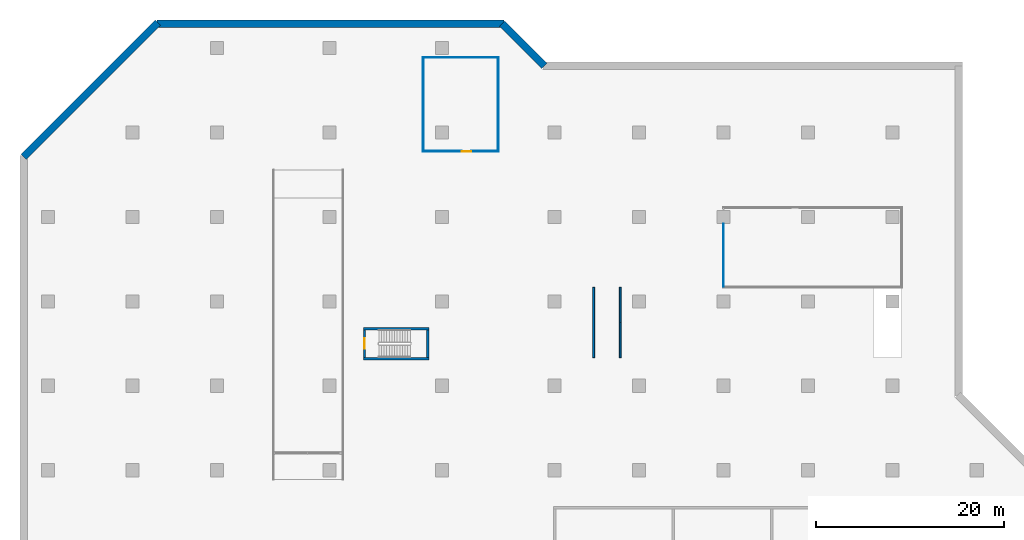
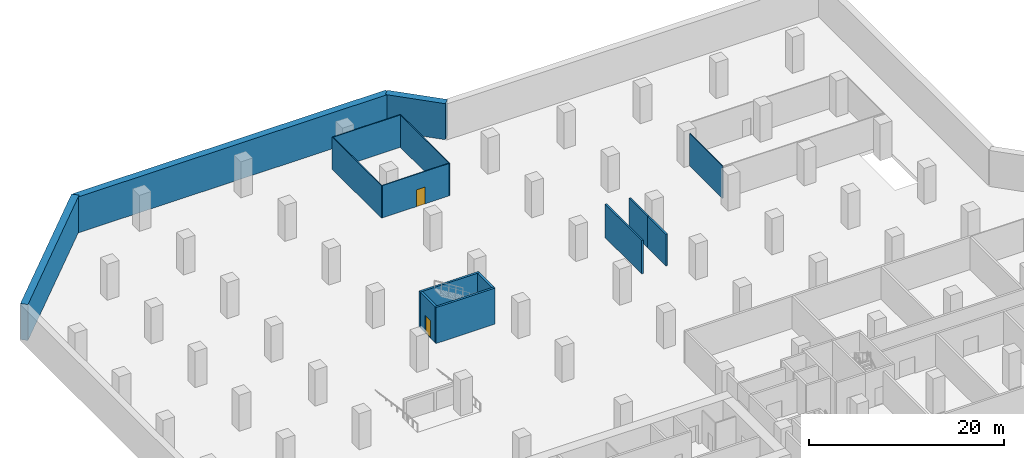
# One storey, part 6 of 10: 15 walls, 2 doors, 2 openings.
"""IFC4 building model written with IfcOpenShell, lengths in metres."""

from ifc_helpers import new_model, si_unit, direction, frame, frame_2d, origin, place, context, subcontext, project, spatial, rectangle, extrude, material, layer, layer_set, type_object, element, fill, save


model = new_model("IFC4")

# Units and contexts
model_context = context("Model", 3, precision=1e-05, world=origin(), true_north=direction((0.0, 1.0)))
body_context = subcontext(model_context, "Body", "Model", "MODEL_VIEW")
ifc_project = project(units=[si_unit("LENGTHUNIT", "METRE"), si_unit("AREAUNIT", "SQUARE_METRE"), si_unit("VOLUMEUNIT", "CUBIC_METRE"), si_unit("PLANEANGLEUNIT", "RADIAN"), si_unit("MASSUNIT", "GRAM", prefix="KILO")], contexts=[model_context])

# Site, building, storey
site_placement = place(None, origin())
site = spatial("IfcSite", under=ifc_project, at=site_placement, CompositionType="ELEMENT")
building_placement = place(site_placement, origin())
building = spatial("IfcBuilding", under=site, at=building_placement, Name="Chenar Terraces", CompositionType="ELEMENT")
storey_placement = place(building_placement, frame((0.0, 0.0, -9.0)))
storey = spatial("IfcBuildingStorey", under=building, at=storey_placement, Name="B2", CompositionType="ELEMENT", Elevation=-9.0)

# Walls
ifc_material_1 = material(Name="Concrete C70/85", Category="concrete")
ifc_layer_1 = layer(ifc_material_1, 0.25)
ifc_layer_set_1 = layer_set([ifc_layer_1], Name="Concrete C70/85")
wall_type_1 = type_object("IfcWallType", Name="Core wall 250 Concrete C70/85", PredefinedType="SHEAR", material=ifc_layer_set_1)
for number, where, z_axis, x_axis, name in (
    (1, (15.60009765625, 47.89990234375, 0.0), (0.0, 0.0, 1.0), (1.0, 0.0, 0.0), "Core wall ST4_S B2"),
    (2, (15.60009765625, 51.10009765625, 0.0), (0.0, 0.0, 1.0), (1.0, 0.0, 0.0), "Core wall ST4_N B2"),
):
    element("IfcWall", number, at=place(storey_placement, frame(where, z_axis=z_axis, x_axis=x_axis)), inside=storey, type_object=wall_type_1, Name=name, PredefinedType="SHEAR", context=body_context, shape_type="SweptSolid", body=[
        extrude(rectangle(XDim=7.0, YDim=0.25, at=frame_2d((3.5, 0.0))), origin(), (0.0, 0.0, 1.0), 4.5),
    ])

# Wall, opening, door
wall_1_placement = place(storey_placement, frame((15.72509765625, 48.02490234375, 0.0), z_axis=(0.0, 0.0, 1.0), x_axis=(0.0, 1.0, 0.0)))
wall_1 = element("IfcWall", 3, at=wall_1_placement, inside=storey, type_object=wall_type_1, Name="Core wall ST4_W B2", PredefinedType="SHEAR", context=body_context, shape_type="SweptSolid", body=[
    extrude(rectangle(XDim=2.9501953125, YDim=0.25, at=frame_2d((1.47509765625, 0.0))), origin(), (0.0, 0.0, 1.0), 4.5),
])
opening_1_placement = place(wall_1_placement, frame((0.925048828125, 0.0, 0.0)))
opening_1 = element("IfcOpeningElement", 4, at=opening_1_placement, cuts=wall_1, Name="Opening DB2-C9", PredefinedType="OPENING", context=body_context, shape_type="SweptSolid", body=[
    extrude(rectangle(XDim=1.10009765625, YDim=2.199951171875, at=frame_2d((0.550048828125, 1.10009765625))), frame((0.0, 0.135009765625, 0.0), z_axis=(0.0, -1.0, 0.0), x_axis=(1.0, 0.0, 0.0)), (0.0, 0.0, 1.0), 0.27001953125),
])
ifc_material_2 = material(Name="Steel-framed fire-resisting door leaf", Category="steel")
door_type_1 = type_object("IfcDoorType", Name="Stair fire door FD60 1100 x 2200", OperationType="SINGLE_SWING_LEFT", PredefinedType="DOOR", material=ifc_material_2)
door_1_placement = place(opening_1_placement, origin())
door_1 = element("IfcDoor", 5, at=door_1_placement, inside=storey, type_object=door_type_1, Name="Stair door DB2-C9", OperationType="SINGLE_SWING_RIGHT", OverallHeight=2.199951171875, OverallWidth=1.10009765625, PredefinedType="DOOR", context=body_context, shape_type="SweptSolid", body=[
    extrude(rectangle(XDim=1.10009765625, YDim=2.199951171875, at=frame_2d((0.550048828125, 1.10009765625))), frame((0.0, 0.02490234375, 0.0), z_axis=(0.0, -1.0, 0.0), x_axis=(1.0, 0.0, 0.0)), (0.0, 0.0, 1.0), 0.050048828125),
])
fill(opening_1, door_1)

# Walls
wall_2_placement = place(storey_placement, frame((22.47509765625, 48.02490234375, 0.0), z_axis=(0.0, 0.0, 1.0), x_axis=(0.0, 1.0, 0.0)))
element("IfcWall", 6, at=wall_2_placement, inside=storey, type_object=wall_type_1, Name="Core wall ST4_E B2", PredefinedType="SHEAR", context=body_context, shape_type="SweptSolid", body=[
    extrude(rectangle(XDim=2.9501953125, YDim=0.25, at=frame_2d((1.47509765625, 0.0))), origin(), (0.0, 0.0, 1.0), 4.5),
])
ifc_material_3 = material(Name="Concrete C40/50", Category="concrete")
ifc_layer_2 = layer(ifc_material_3, 0.800048828125)
ifc_layer_set_2 = layer_set([ifc_layer_2], Name="Concrete C40/50")
wall_type_2 = type_object("IfcWallType", Name="Diaphragm wall 800 Concrete C40/50", PredefinedType="SOLIDWALL", material=ifc_layer_set_2)
wall_3_placement = place(storey_placement, frame((34.91162109375, 79.10009765625, 0.0), z_axis=(0.0, 0.0, 1.0), x_axis=(-0.707106781187, 0.707106781187, 0.0)))
element("IfcWall", 7, at=wall_3_placement, inside=storey, type_object=wall_type_2, Name="Diaphragm wall B2 1", PredefinedType="SOLIDWALL", context=body_context, shape_type="SweptSolid", body=[
    extrude(rectangle(XDim=6.364013671875, YDim=0.800048828125, at=frame_2d((3.18212890625, 0.0))), origin(), (0.0, 0.0, 1.0), 4.5),
])
wall_4_placement = place(storey_placement, frame((30.5771484375, 83.60009765625, 0.0), z_axis=(0.0, 0.0, 1.0), x_axis=(-1.0, 0.0, 0.0)))
element("IfcWall", 8, at=wall_4_placement, inside=storey, type_object=wall_type_2, Name="Diaphragm wall B2 2", PredefinedType="SOLIDWALL", context=body_context, shape_type="SweptSolid", body=[
    extrude(rectangle(XDim=36.98876953125, YDim=0.800048828125, at=frame_2d((18.494384765625, 0.0))), origin(), (0.0, 0.0, 1.0), 4.5),
])
wall_5_placement = place(storey_placement, frame((-6.294189453125, 83.71728515625, 0.0), z_axis=(0.0, 0.0, 1.0), x_axis=(-0.707112814855, -0.707100747466, 0.0)))
element("IfcWall", 9, at=wall_5_placement, inside=storey, type_object=wall_type_2, Name="Diaphragm wall B2 3", PredefinedType="SOLIDWALL", context=body_context, shape_type="SweptSolid", body=[
    extrude(rectangle(XDim=20.2314453125, YDim=0.800048828125, at=frame_2d((10.11572265625, 0.0))), origin(), (0.0, 0.0, 1.0), 4.5),
])
ifc_material_4 = material(Name="Gypsum board on steel studs", Category="steel")
ifc_layer_3 = layer(ifc_material_4, 0.10009765625)
ifc_layer_set_3 = layer_set([ifc_layer_3], Name="Gypsum board on steel studs")
wall_type_3 = type_object("IfcWallType", Name="Gypsum partition 100", PredefinedType="PARTITIONING", material=ifc_layer_set_3)
wall_6_placement = place(storey_placement, frame((22.0, 69.949951171875, 0.0), z_axis=(0.0, 0.0, 1.0), x_axis=(0.0, 1.0, 0.0)))
element("IfcWall", 10, at=wall_6_placement, inside=storey, type_object=wall_type_3, Name="Partition B2-001", PredefinedType="PARTITIONING", context=body_context, shape_type="SweptSolid", body=[
    extrude(rectangle(XDim=10.10009765625, YDim=0.10009765625, at=frame_2d((5.050048828125, 0.0))), origin(), (0.0, 0.0, 1.0), 4.050048828125),
])

# Wall, opening, door
wall_7_placement = place(storey_placement, frame((22.050048828125, 70.0, 0.0), z_axis=(0.0, 0.0, 1.0), x_axis=(1.0, 0.0, 0.0)))
wall_7 = element("IfcWall", 11, at=wall_7_placement, inside=storey, type_object=wall_type_3, Name="Partition B2-002", PredefinedType="PARTITIONING", context=body_context, shape_type="SweptSolid", body=[
    extrude(rectangle(XDim=7.89990234375, YDim=0.10009765625, at=frame_2d((3.949951171875, 0.0))), origin(), (0.0, 0.0, 1.0), 4.050048828125),
])
opening_2_placement = place(wall_7_placement, frame((4.050048828125, 0.0, 0.0)))
opening_2 = element("IfcOpeningElement", 12, at=opening_2_placement, cuts=wall_7, Name="Opening DB2-12", PredefinedType="OPENING", context=body_context, shape_type="SweptSolid", body=[
    extrude(rectangle(XDim=1.0, YDim=2.10009765625, at=frame_2d((0.5, 1.050048828125))), frame((0.0, 0.06005859375, 0.0), z_axis=(0.0, -1.0, 0.0), x_axis=(1.0, 0.0, 0.0)), (0.0, 0.0, 1.0), 0.1201171875),
])
ifc_material_5 = material(Name="Veneered timber door leaf", Category="wood")
door_type_2 = type_object("IfcDoorType", Name="Door 1000 x 2100", OperationType="SINGLE_SWING_LEFT", PredefinedType="DOOR", material=ifc_material_5)
door_2_placement = place(opening_2_placement, origin())
door_2 = element("IfcDoor", 13, at=door_2_placement, inside=storey, type_object=door_type_2, Name="Door DB2-12", OperationType="SINGLE_SWING_LEFT", OverallHeight=2.10009765625, OverallWidth=1.0, PredefinedType="DOOR", context=body_context, shape_type="SweptSolid", body=[
    extrude(rectangle(XDim=1.0, YDim=2.10009765625, at=frame_2d((0.5, 1.050048828125))), frame((0.0, 0.02490234375, 0.0), z_axis=(0.0, -1.0, 0.0), x_axis=(1.0, 0.0, 0.0)), (0.0, 0.0, 1.0), 0.050048828125),
])
fill(opening_2, door_2)

# Walls
wall_8_placement = place(storey_placement, frame((22.050048828125, 80.0, 0.0), z_axis=(0.0, 0.0, 1.0), x_axis=(1.0, 0.0, 0.0)))
element("IfcWall", 14, at=wall_8_placement, inside=storey, type_object=wall_type_3, Name="Partition B2-003", PredefinedType="PARTITIONING", context=body_context, shape_type="SweptSolid", body=[
    extrude(rectangle(XDim=7.89990234375, YDim=0.10009765625, at=frame_2d((3.949951171875, 0.0))), origin(), (0.0, 0.0, 1.0), 4.050048828125),
])
wall_9_placement = place(storey_placement, frame((30.0, 69.949951171875, 0.0), z_axis=(0.0, 0.0, 1.0), x_axis=(0.0, 1.0, 0.0)))
element("IfcWall", 15, at=wall_9_placement, inside=storey, type_object=wall_type_3, Name="Partition B2-004", PredefinedType="PARTITIONING", context=body_context, shape_type="SweptSolid", body=[
    extrude(rectangle(XDim=10.10009765625, YDim=0.10009765625, at=frame_2d((5.050048828125, 0.0))), origin(), (0.0, 0.0, 1.0), 4.050048828125),
])
wall_10_placement = place(storey_placement, frame((54.0, 55.550048828125, 0.0), z_axis=(0.0, 0.0, 1.0), x_axis=(0.0, 1.0, 0.0)))
element("IfcWall", 16, at=wall_10_placement, inside=storey, type_object=wall_type_3, Name="Partition B2-021", PredefinedType="PARTITIONING", context=body_context, shape_type="SweptSolid", body=[
    extrude(rectangle(XDim=6.7509765625, YDim=0.10009765625, at=frame_2d((3.37548828125, 0.0))), origin(), (0.0, 0.0, 1.0), 4.050048828125),
])
ifc_material_6 = material(Name="Reinforced concrete C40/50", Category="concrete")
ifc_layer_4 = layer(ifc_material_6, 0.199951171875)
ifc_layer_set_4 = layer_set([ifc_layer_4], Name="Reinforced concrete C40/50")
wall_type_4 = type_object("IfcWallType", Name="Ramp bearing wall 200 concrete", PredefinedType="SOLIDWALL", material=ifc_layer_set_4)
for number, where, z_axis, x_axis, name in (
    (17, (43.0, 48.0, 0.0), (0.0, 0.0, 1.0), (0.0, 1.0, 0.0), "Ramp bearing wall"),
    (18, (43.0, 51.75, 0.0), (0.0, 0.0, 1.0), (0.0, 1.0, 0.0), "Ramp bearing wall"),
):
    element("IfcWall", number, at=place(storey_placement, frame(where, z_axis=z_axis, x_axis=x_axis)), inside=storey, type_object=wall_type_4, Name=name, PredefinedType="SOLIDWALL", context=body_context, shape_type="SweptSolid", body=[
        extrude(rectangle(XDim=3.75, YDim=0.199951171875, at=frame_2d((1.875, 0.0))), origin(), (0.0, 0.0, 1.0), 3.949951171875),
    ])
wall_11_placement = place(storey_placement, frame((40.14990234375, 48.0, 0.0), z_axis=(0.0, 0.0, 1.0), x_axis=(0.0, 1.0, 0.0)))
element("IfcWall", 19, at=wall_11_placement, inside=storey, type_object=wall_type_4, Name="Ramp head wall", PredefinedType="SOLIDWALL", context=body_context, shape_type="SweptSolid", body=[
    extrude(rectangle(XDim=7.5, YDim=0.199951171875, at=frame_2d((3.75, 0.0))), origin(), (0.0, 0.0, 1.0), 4.1875),
])

save(model, "model.ifc")
